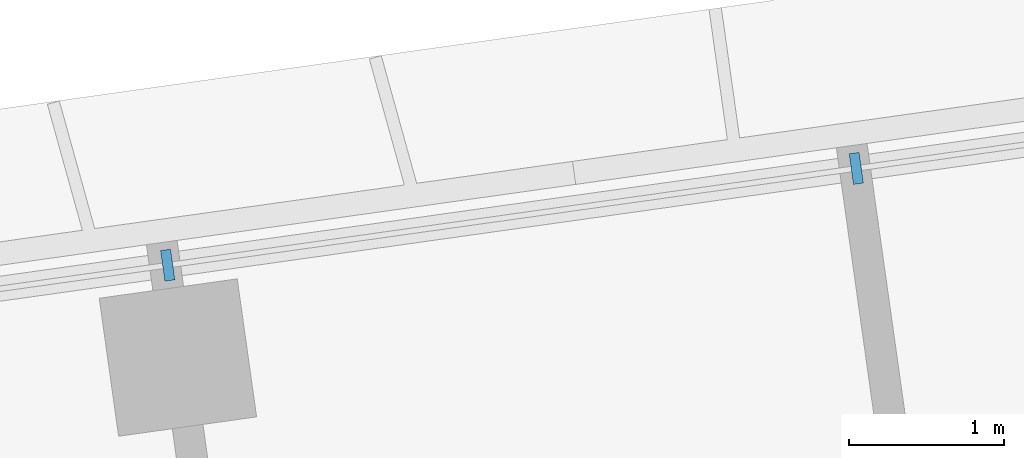
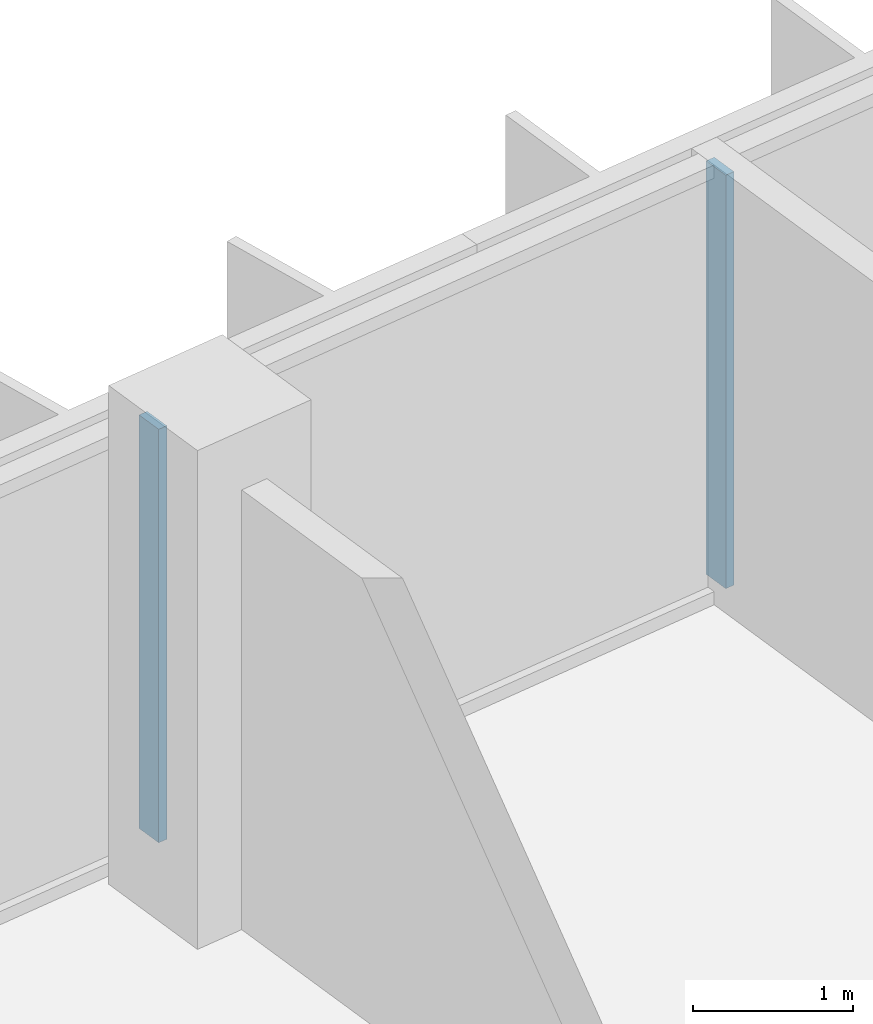
# One storey, part 8 of 26: 2 members, 1 element without a shape of its own.
"""IFC4 building model written with IfcOpenShell, lengths in metres."""

from ifc_helpers import new_model, si_unit, direction, frame, origin, origin_2d, place, context, subcontext, project, spatial, rectangle, extrude, material, material_profile, profile_set, type_object, element, aggregate, save


model = new_model("IFC4")

# Units and contexts
model_context = context("Model", 3, precision=1e-05, world=origin(), true_north=direction((0.0, 1.0)))
body_context = subcontext(model_context, "Body", "Model", "MODEL_VIEW")
ifc_project = project(units=[si_unit("LENGTHUNIT", "METRE"), si_unit("AREAUNIT", "SQUARE_METRE"), si_unit("VOLUMEUNIT", "CUBIC_METRE"), si_unit("PLANEANGLEUNIT", "RADIAN"), si_unit("MASSUNIT", "GRAM", prefix="KILO")], contexts=[model_context])

# Site, building, storey
site_placement = place(None, origin())
site = spatial("IfcSite", under=ifc_project, at=site_placement, CompositionType="ELEMENT")
building_placement = place(site_placement, origin())
building = spatial("IfcBuilding", under=site, at=building_placement, Name="Mirante Cascada Hotel Towers", CompositionType="ELEMENT")
storey_placement = place(building_placement, frame((0.0, 0.0, 106.3)))
storey = spatial("IfcBuildingStorey", under=building, at=storey_placement, Name="L23", CompositionType="ELEMENT", Elevation=106.3)

# Curtain wall, members
ifc_material_1 = material(Name="Aluminium mullion and transom frame with clear laminated glass", Category="aluminium")
curtain_wall_type = type_object("IfcCurtainWallType", Name="Ribbon curtain wall ECW1", PredefinedType="NOTDEFINED", material=ifc_material_1)
curtain_wall_placement = place(storey_placement, origin())
curtain_wall = element("IfcCurtainWall", 1, at=curtain_wall_placement, inside=storey, type_object=curtain_wall_type, Name="Front ribbon wall T2 L23", PredefinedType="NOTDEFINED")
ifc_material_2 = material(Name="Anodised aluminium extrusion", Category="aluminium")
ifc_material_profile = material_profile(ifc_material_2, rectangle(XDim=0.2, YDim=0.065, at=origin_2d()), Name="ECW1 MULLION 65x200")
ifc_profile_set = profile_set([ifc_material_profile], Name="Anodised aluminium extrusion")
member_type = type_object("IfcMemberType", Name="ECW1 mullion 65x200", PredefinedType="MULLION", material=ifc_profile_set)
member_1_placement = place(storey_placement, frame((58.5788, 21.0517, 0.1), z_axis=(0.0, 0.0, 1.0), x_axis=(0.1391731, -0.9902681, 0.0)))
member_1 = element("IfcMember", 2, at=member_1_placement, type_object=member_type, Name="ECW1 mullion 9", PredefinedType="MULLION", context=body_context, shape_type="SweptSolid", body=[
    extrude(rectangle(XDim=0.2, YDim=0.065, at=origin_2d()), origin(), (0.0, 0.0, 1.0), 3.15),
])
member_2_placement = place(storey_placement, frame((54.1314, 20.4267, 0.1), z_axis=(0.0, 0.0, 1.0), x_axis=(0.1391731, -0.9902681, 0.0)))
member_2 = element("IfcMember", 3, at=member_2_placement, type_object=member_type, Name="ECW1 mullion 10", PredefinedType="MULLION", context=body_context, shape_type="SweptSolid", body=[
    extrude(rectangle(XDim=0.2, YDim=0.065, at=origin_2d()), origin(), (0.0, 0.0, 1.0), 3.15),
])
aggregate(curtain_wall, [member_1, member_2])

save(model, "model.ifc")
